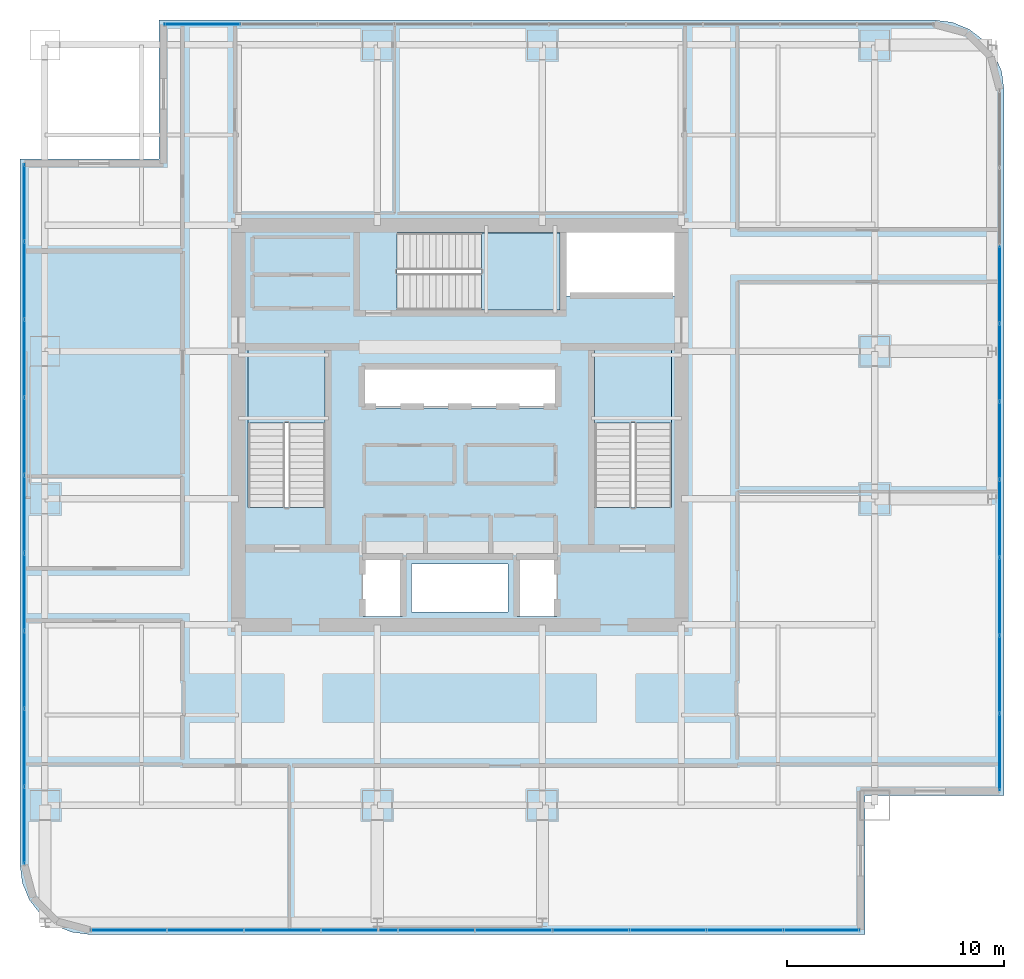
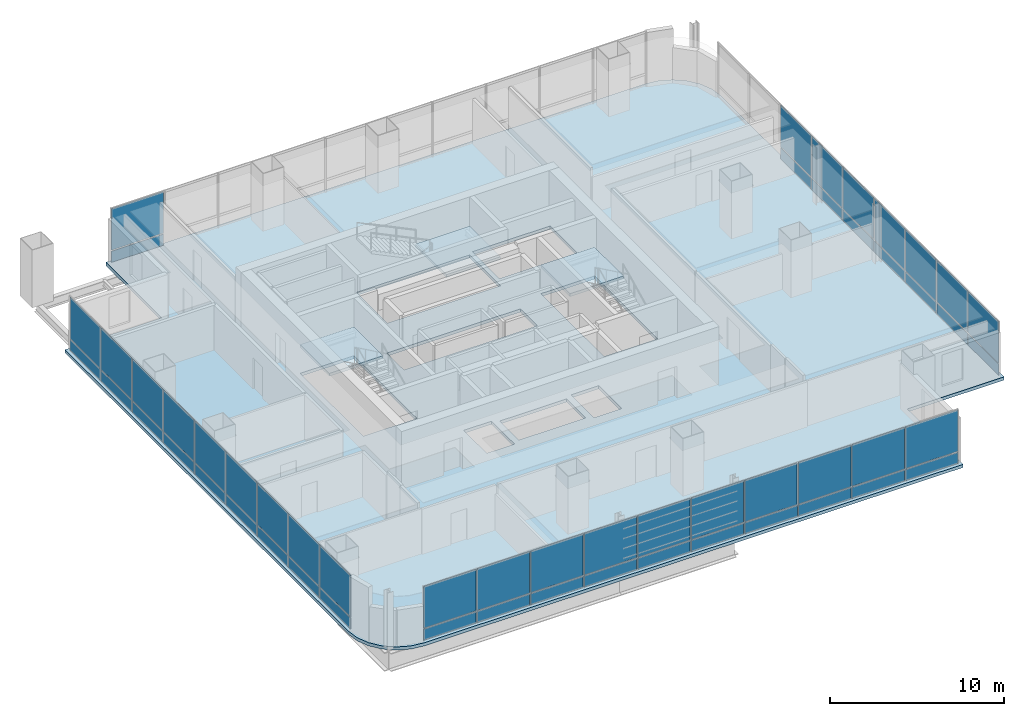
# One storey, part 28 of 37: 54 plates, 4 slabs, 7 elements without a shape of their own.
"""IFC4 building model written with IfcOpenShell, lengths in metres."""

from ifc_helpers import new_model, si_unit, direction, frame, origin, origin_2d, place, context, subcontext, project, spatial, polyline, rectangle, outline, extrude, material, layer, layer_set, type_object, element, aggregate, save


model = new_model("IFC4")

# Units and contexts
model_context = context("Model", 3, precision=1e-05, world=origin(), true_north=direction((0.0, 1.0)))
body_context = subcontext(model_context, "Body", "Model", "MODEL_VIEW")
ifc_project = project(units=[si_unit("LENGTHUNIT", "METRE"), si_unit("AREAUNIT", "SQUARE_METRE"), si_unit("VOLUMEUNIT", "CUBIC_METRE"), si_unit("PLANEANGLEUNIT", "RADIAN"), si_unit("MASSUNIT", "GRAM", prefix="KILO")], contexts=[model_context])

# Site, building, storey
site_placement = place(None, origin())
site = spatial("IfcSite", under=ifc_project, at=site_placement, CompositionType="ELEMENT")
building_placement = place(site_placement, origin())
building = spatial("IfcBuilding", under=site, at=building_placement, Name="Punatoya Terracotta Tower", CompositionType="ELEMENT")
storey_placement = place(building_placement, frame((0.0, 0.0, 224.85009765625)))
storey = spatial("IfcBuildingStorey", under=building, at=storey_placement, Name="L53", CompositionType="ELEMENT", Elevation=224.85009765625)

# Curtain wall, plates
ifc_material_1 = material(Name="Aluminium 6063-T6 + Double Low-E Glass", Category="aluminium")
curtain_wall_type = type_object("IfcCurtainWallType", Name="CW-M2", PredefinedType="NOTDEFINED", material=ifc_material_1)
curtain_wall_1_placement = place(storey_placement, origin())
curtain_wall_1 = element("IfcCurtainWall", 1, at=curtain_wall_1_placement, inside=storey, type_object=curtain_wall_type, Name="L53 Curtain Wall CW-L53-S01-1", PredefinedType="NOTDEFINED")
ifc_material_2 = material(Name="Double Low-E Acoustic Vision Glass", Category="glass")
ifc_layer_1 = layer(ifc_material_2, 0.031982421875)
ifc_layer_set_1 = layer_set([ifc_layer_1], Name="Double Low-E Acoustic Vision Glass")
plate_type_1 = type_object("IfcPlateType", Name="PLT-GLZ-32", PredefinedType="CURTAIN_PANEL", material=ifc_layer_set_1)
plate_1_placement = place(storey_placement, frame((-15.2626953125, -23.25, 0.889892578125), z_axis=(0.0, 0.0, 1.0), x_axis=(1.0, 0.0, 0.0)))
plate_1 = element("IfcPlate", 2, at=plate_1_placement, type_object=plate_type_1, Name="CW-L53-S01-1 Vision Glass Panel 1", PredefinedType="CURTAIN_PANEL", context=body_context, shape_type="SweptSolid", body=[
    extrude(rectangle(XDim=3.463623046875, YDim=0.031982421875, at=origin_2d()), origin(), (0.0, 0.0, 1.0), 2.89990234375),
])
plate_2_placement = place(storey_placement, frame((-11.7138671875, -23.25, 0.889892578125), z_axis=(0.0, 0.0, 1.0), x_axis=(1.0, 0.0, 0.0)))
plate_2 = element("IfcPlate", 3, at=plate_2_placement, type_object=plate_type_1, Name="CW-L53-S01-1 Vision Glass Panel 2", PredefinedType="CURTAIN_PANEL", context=body_context, shape_type="SweptSolid", body=[
    extrude(rectangle(XDim=3.463623046875, YDim=0.031982421875, at=origin_2d()), origin(), (0.0, 0.0, 1.0), 2.89990234375),
])
plate_3_placement = place(storey_placement, frame((-8.165283203125, -23.25, 0.889892578125), z_axis=(0.0, 0.0, 1.0), x_axis=(1.0, 0.0, 0.0)))
plate_3 = element("IfcPlate", 4, at=plate_3_placement, type_object=plate_type_1, Name="CW-L53-S01-1 Vision Glass Panel 3", PredefinedType="CURTAIN_PANEL", context=body_context, shape_type="SweptSolid", body=[
    extrude(rectangle(XDim=3.463623046875, YDim=0.031982421875, at=origin_2d()), origin(), (0.0, 0.0, 1.0), 2.89990234375),
])
plate_4_placement = place(storey_placement, frame((-4.616455078125, -23.25, 0.889892578125), z_axis=(0.0, 0.0, 1.0), x_axis=(1.0, 0.0, 0.0)))
plate_4 = element("IfcPlate", 5, at=plate_4_placement, type_object=plate_type_1, Name="CW-L53-S01-1 Vision Glass Panel 4", PredefinedType="CURTAIN_PANEL", context=body_context, shape_type="SweptSolid", body=[
    extrude(rectangle(XDim=3.463623046875, YDim=0.031982421875, at=origin_2d()), origin(), (0.0, 0.0, 1.0), 2.89990234375),
])
plate_5_placement = place(storey_placement, frame((-1.06787109375, -23.25, 0.889892578125), z_axis=(0.0, 0.0, 1.0), x_axis=(1.0, 0.0, 0.0)))
plate_5 = element("IfcPlate", 6, at=plate_5_placement, type_object=plate_type_1, Name="CW-L53-S01-1 Vision Glass Panel 5", PredefinedType="CURTAIN_PANEL", context=body_context, shape_type="SweptSolid", body=[
    extrude(rectangle(XDim=3.463623046875, YDim=0.031982421875, at=origin_2d()), origin(), (0.0, 0.0, 1.0), 2.89990234375),
])
plate_6_placement = place(storey_placement, frame((2.48095703125, -23.25, 0.889892578125), z_axis=(0.0, 0.0, 1.0), x_axis=(1.0, 0.0, 0.0)))
plate_6 = element("IfcPlate", 7, at=plate_6_placement, type_object=plate_type_1, Name="CW-L53-S01-1 Vision Glass Panel 6", PredefinedType="CURTAIN_PANEL", context=body_context, shape_type="SweptSolid", body=[
    extrude(rectangle(XDim=3.463623046875, YDim=0.031982421875, at=origin_2d()), origin(), (0.0, 0.0, 1.0), 2.89990234375),
])
plate_7_placement = place(storey_placement, frame((6.029541015625, -23.25, 0.889892578125), z_axis=(0.0, 0.0, 1.0), x_axis=(1.0, 0.0, 0.0)))
plate_7 = element("IfcPlate", 8, at=plate_7_placement, type_object=plate_type_1, Name="CW-L53-S01-1 Vision Glass Panel 7", PredefinedType="CURTAIN_PANEL", context=body_context, shape_type="SweptSolid", body=[
    extrude(rectangle(XDim=3.463623046875, YDim=0.031982421875, at=origin_2d()), origin(), (0.0, 0.0, 1.0), 2.89990234375),
])
plate_8_placement = place(storey_placement, frame((9.578369140625, -23.25, 0.889892578125), z_axis=(0.0, 0.0, 1.0), x_axis=(1.0, 0.0, 0.0)))
plate_8 = element("IfcPlate", 9, at=plate_8_placement, type_object=plate_type_1, Name="CW-L53-S01-1 Vision Glass Panel 8", PredefinedType="CURTAIN_PANEL", context=body_context, shape_type="SweptSolid", body=[
    extrude(rectangle(XDim=3.463623046875, YDim=0.031982421875, at=origin_2d()), origin(), (0.0, 0.0, 1.0), 2.89990234375),
])
plate_9_placement = place(storey_placement, frame((13.126953125, -23.25, 0.889892578125), z_axis=(0.0, 0.0, 1.0), x_axis=(1.0, 0.0, 0.0)))
plate_9 = element("IfcPlate", 10, at=plate_9_placement, type_object=plate_type_1, Name="CW-L53-S01-1 Vision Glass Panel 9", PredefinedType="CURTAIN_PANEL", context=body_context, shape_type="SweptSolid", body=[
    extrude(rectangle(XDim=3.463623046875, YDim=0.031982421875, at=origin_2d()), origin(), (0.0, 0.0, 1.0), 2.89990234375),
])
plate_10_placement = place(storey_placement, frame((16.67578125, -23.25, 0.889892578125), z_axis=(0.0, 0.0, 1.0), x_axis=(1.0, 0.0, 0.0)))
plate_10 = element("IfcPlate", 11, at=plate_10_placement, type_object=plate_type_1, Name="CW-L53-S01-1 Vision Glass Panel 10", PredefinedType="CURTAIN_PANEL", context=body_context, shape_type="SweptSolid", body=[
    extrude(rectangle(XDim=3.463623046875, YDim=0.031982421875, at=origin_2d()), origin(), (0.0, 0.0, 1.0), 2.89990234375),
])

curtain_wall_2_placement = place(storey_placement, origin())
curtain_wall_2 = element("IfcCurtainWall", 12, at=curtain_wall_2_placement, inside=storey, type_object=curtain_wall_type, Name="L53 Curtain Wall CW-L53-E04-1", PredefinedType="NOTDEFINED")
plate_11_placement = place(storey_placement, frame((24.85009765625, -15.056396484375, 0.889892578125), z_axis=(0.0, 0.0, 1.0), x_axis=(0.0, 1.0, 0.0)))
plate_11 = element("IfcPlate", 13, at=plate_11_placement, type_object=plate_type_1, Name="CW-L53-E04-1 Vision Glass Panel 1", PredefinedType="CURTAIN_PANEL", context=body_context, shape_type="SweptSolid", body=[
    extrude(rectangle(XDim=3.50244140625, YDim=0.031982421875, at=origin_2d()), origin(), (0.0, 0.0, 1.0), 2.89990234375),
])
plate_12_placement = place(storey_placement, frame((24.85009765625, -11.468994140625, 0.889892578125), z_axis=(0.0, 0.0, 1.0), x_axis=(0.0, 1.0, 0.0)))
plate_12 = element("IfcPlate", 14, at=plate_12_placement, type_object=plate_type_1, Name="CW-L53-E04-1 Vision Glass Panel 2", PredefinedType="CURTAIN_PANEL", context=body_context, shape_type="SweptSolid", body=[
    extrude(rectangle(XDim=3.50244140625, YDim=0.031982421875, at=origin_2d()), origin(), (0.0, 0.0, 1.0), 2.89990234375),
])
plate_13_placement = place(storey_placement, frame((24.85009765625, -7.88134765625, 0.889892578125), z_axis=(0.0, 0.0, 1.0), x_axis=(0.0, 1.0, 0.0)))
plate_13 = element("IfcPlate", 15, at=plate_13_placement, type_object=plate_type_1, Name="CW-L53-E04-1 Vision Glass Panel 3", PredefinedType="CURTAIN_PANEL", context=body_context, shape_type="SweptSolid", body=[
    extrude(rectangle(XDim=3.50244140625, YDim=0.031982421875, at=origin_2d()), origin(), (0.0, 0.0, 1.0), 2.89990234375),
])
plate_14_placement = place(storey_placement, frame((24.85009765625, -4.2939453125, 0.889892578125), z_axis=(0.0, 0.0, 1.0), x_axis=(0.0, 1.0, 0.0)))
plate_14 = element("IfcPlate", 16, at=plate_14_placement, type_object=plate_type_1, Name="CW-L53-E04-1 Vision Glass Panel 4", PredefinedType="CURTAIN_PANEL", context=body_context, shape_type="SweptSolid", body=[
    extrude(rectangle(XDim=3.50244140625, YDim=0.031982421875, at=origin_2d()), origin(), (0.0, 0.0, 1.0), 2.89990234375),
])
plate_15_placement = place(storey_placement, frame((24.85009765625, -0.70654296875, 0.889892578125), z_axis=(0.0, 0.0, 1.0), x_axis=(0.0, 1.0, 0.0)))
plate_15 = element("IfcPlate", 17, at=plate_15_placement, type_object=plate_type_1, Name="CW-L53-E04-1 Vision Glass Panel 5", PredefinedType="CURTAIN_PANEL", context=body_context, shape_type="SweptSolid", body=[
    extrude(rectangle(XDim=3.50244140625, YDim=0.031982421875, at=origin_2d()), origin(), (0.0, 0.0, 1.0), 2.89990234375),
])
plate_16_placement = place(storey_placement, frame((24.85009765625, 2.880859375, 0.889892578125), z_axis=(0.0, 0.0, 1.0), x_axis=(0.0, 1.0, 0.0)))
plate_16 = element("IfcPlate", 18, at=plate_16_placement, type_object=plate_type_1, Name="CW-L53-E04-1 Vision Glass Panel 6", PredefinedType="CURTAIN_PANEL", context=body_context, shape_type="SweptSolid", body=[
    extrude(rectangle(XDim=3.50244140625, YDim=0.031982421875, at=origin_2d()), origin(), (0.0, 0.0, 1.0), 2.89990234375),
])
plate_17_placement = place(storey_placement, frame((24.85009765625, 6.46826171875, 0.889892578125), z_axis=(0.0, 0.0, 1.0), x_axis=(0.0, 1.0, 0.0)))
plate_17 = element("IfcPlate", 19, at=plate_17_placement, type_object=plate_type_1, Name="CW-L53-E04-1 Vision Glass Panel 7", PredefinedType="CURTAIN_PANEL", context=body_context, shape_type="SweptSolid", body=[
    extrude(rectangle(XDim=3.50244140625, YDim=0.031982421875, at=origin_2d()), origin(), (0.0, 0.0, 1.0), 2.89990234375),
])

# Curtain wall, plate
curtain_wall_3_placement = place(storey_placement, origin())
curtain_wall_3 = element("IfcCurtainWall", 20, at=curtain_wall_3_placement, inside=storey, type_object=curtain_wall_type, Name="L53 Curtain Wall CW-L53-N08-1", PredefinedType="NOTDEFINED")
plate_18_placement = place(storey_placement, frame((-11.875732421875, 18.449951171875, 0.889892578125), z_axis=(0.0, 0.0, 1.0), x_axis=(-1.0, 0.0, 0.0)))
plate_18 = element("IfcPlate", 21, at=plate_18_placement, type_object=plate_type_1, Name="CW-L53-N08-1 Vision Glass Panel 10", PredefinedType="CURTAIN_PANEL", context=body_context, shape_type="SweptSolid", body=[
    extrude(rectangle(XDim=3.463623046875, YDim=0.031982421875, at=origin_2d()), origin(), (0.0, 0.0, 1.0), 2.89990234375),
])

# Curtain wall, plates
curtain_wall_4_placement = place(storey_placement, origin())
curtain_wall_4 = element("IfcCurtainWall", 22, at=curtain_wall_4_placement, inside=storey, type_object=curtain_wall_type, Name="L53 Curtain Wall CW-L53-W11-1", PredefinedType="NOTDEFINED")
plate_19_placement = place(storey_placement, frame((-20.050048828125, 10.25634765625, 0.889892578125), z_axis=(0.0, 0.0, 1.0), x_axis=(0.0, -1.0, 0.0)))
plate_19 = element("IfcPlate", 23, at=plate_19_placement, type_object=plate_type_1, Name="CW-L53-W11-1 Vision Glass Panel 1", PredefinedType="CURTAIN_PANEL", context=body_context, shape_type="SweptSolid", body=[
    extrude(rectangle(XDim=3.50244140625, YDim=0.031982421875, at=origin_2d()), origin(), (0.0, 0.0, 1.0), 2.89990234375),
])
plate_20_placement = place(storey_placement, frame((-20.050048828125, 6.6689453125, 0.889892578125), z_axis=(0.0, 0.0, 1.0), x_axis=(0.0, -1.0, 0.0)))
plate_20 = element("IfcPlate", 24, at=plate_20_placement, type_object=plate_type_1, Name="CW-L53-W11-1 Vision Glass Panel 2", PredefinedType="CURTAIN_PANEL", context=body_context, shape_type="SweptSolid", body=[
    extrude(rectangle(XDim=3.50244140625, YDim=0.031982421875, at=origin_2d()), origin(), (0.0, 0.0, 1.0), 2.89990234375),
])
plate_21_placement = place(storey_placement, frame((-20.050048828125, 3.081298828125, 0.889892578125), z_axis=(0.0, 0.0, 1.0), x_axis=(0.0, -1.0, 0.0)))
plate_21 = element("IfcPlate", 25, at=plate_21_placement, type_object=plate_type_1, Name="CW-L53-W11-1 Vision Glass Panel 3", PredefinedType="CURTAIN_PANEL", context=body_context, shape_type="SweptSolid", body=[
    extrude(rectangle(XDim=3.50244140625, YDim=0.031982421875, at=origin_2d()), origin(), (0.0, 0.0, 1.0), 2.89990234375),
])
plate_22_placement = place(storey_placement, frame((-20.050048828125, -0.506103515625, 0.889892578125), z_axis=(0.0, 0.0, 1.0), x_axis=(0.0, -1.0, 0.0)))
plate_22 = element("IfcPlate", 26, at=plate_22_placement, type_object=plate_type_1, Name="CW-L53-W11-1 Vision Glass Panel 4", PredefinedType="CURTAIN_PANEL", context=body_context, shape_type="SweptSolid", body=[
    extrude(rectangle(XDim=3.50244140625, YDim=0.031982421875, at=origin_2d()), origin(), (0.0, 0.0, 1.0), 2.89990234375),
])
plate_23_placement = place(storey_placement, frame((-20.050048828125, -4.093505859375, 0.889892578125), z_axis=(0.0, 0.0, 1.0), x_axis=(0.0, -1.0, 0.0)))
plate_23 = element("IfcPlate", 27, at=plate_23_placement, type_object=plate_type_1, Name="CW-L53-W11-1 Vision Glass Panel 5", PredefinedType="CURTAIN_PANEL", context=body_context, shape_type="SweptSolid", body=[
    extrude(rectangle(XDim=3.50244140625, YDim=0.031982421875, at=origin_2d()), origin(), (0.0, 0.0, 1.0), 2.89990234375),
])
plate_24_placement = place(storey_placement, frame((-20.050048828125, -7.680908203125, 0.889892578125), z_axis=(0.0, 0.0, 1.0), x_axis=(0.0, -1.0, 0.0)))
plate_24 = element("IfcPlate", 28, at=plate_24_placement, type_object=plate_type_1, Name="CW-L53-W11-1 Vision Glass Panel 6", PredefinedType="CURTAIN_PANEL", context=body_context, shape_type="SweptSolid", body=[
    extrude(rectangle(XDim=3.50244140625, YDim=0.031982421875, at=origin_2d()), origin(), (0.0, 0.0, 1.0), 2.89990234375),
])
plate_25_placement = place(storey_placement, frame((-20.050048828125, -11.268310546875, 0.889892578125), z_axis=(0.0, 0.0, 1.0), x_axis=(0.0, -1.0, 0.0)))
plate_25 = element("IfcPlate", 29, at=plate_25_placement, type_object=plate_type_1, Name="CW-L53-W11-1 Vision Glass Panel 7", PredefinedType="CURTAIN_PANEL", context=body_context, shape_type="SweptSolid", body=[
    extrude(rectangle(XDim=3.50244140625, YDim=0.031982421875, at=origin_2d()), origin(), (0.0, 0.0, 1.0), 2.89990234375),
])
plate_26_placement = place(storey_placement, frame((-20.050048828125, -14.855712890625, 0.889892578125), z_axis=(0.0, 0.0, 1.0), x_axis=(0.0, -1.0, 0.0)))
plate_26 = element("IfcPlate", 30, at=plate_26_placement, type_object=plate_type_1, Name="CW-L53-W11-1 Vision Glass Panel 8", PredefinedType="CURTAIN_PANEL", context=body_context, shape_type="SweptSolid", body=[
    extrude(rectangle(XDim=3.50244140625, YDim=0.031982421875, at=origin_2d()), origin(), (0.0, 0.0, 1.0), 2.89990234375),
])
plate_27_placement = place(storey_placement, frame((-20.050048828125, -18.443115234375, 0.889892578125), z_axis=(0.0, 0.0, 1.0), x_axis=(0.0, -1.0, 0.0)))
plate_27 = element("IfcPlate", 31, at=plate_27_placement, type_object=plate_type_1, Name="CW-L53-W11-1 Vision Glass Panel 9", PredefinedType="CURTAIN_PANEL", context=body_context, shape_type="SweptSolid", body=[
    extrude(rectangle(XDim=3.50244140625, YDim=0.031982421875, at=origin_2d()), origin(), (0.0, 0.0, 1.0), 2.89990234375),
])

# Plate
ifc_material_3 = material(Name="Insulated Terracotta-Backed Spandrel Panel", Category="masonry")
ifc_layer_2 = layer(ifc_material_3, 0.044921875)
ifc_layer_set_2 = layer_set([ifc_layer_2], Name="Insulated Terracotta-Backed Spandrel Panel")
plate_type_2 = type_object("IfcPlateType", Name="PLT-SPN-45", PredefinedType="CURTAIN_PANEL", material=ifc_layer_set_2)
plate_28_placement = place(storey_placement, frame((-15.2626953125, -23.25, 0.0400390625), z_axis=(0.0, 0.0, 1.0), x_axis=(1.0, 0.0, 0.0)))
plate_28 = element("IfcPlate", 32, at=plate_28_placement, type_object=plate_type_2, Name="CW-L53-S01-1 Terracotta Spandrel Panel 1", PredefinedType="CURTAIN_PANEL", context=body_context, shape_type="SweptSolid", body=[
    extrude(rectangle(XDim=3.463623046875, YDim=0.044921875, at=origin_2d()), origin(), (0.0, 0.0, 1.0), 0.77490234375),
])

plate_29_placement = place(storey_placement, frame((-11.7138671875, -23.25, 0.0400390625), z_axis=(0.0, 0.0, 1.0), x_axis=(1.0, 0.0, 0.0)))
plate_29 = element("IfcPlate", 33, at=plate_29_placement, type_object=plate_type_2, Name="CW-L53-S01-1 Terracotta Spandrel Panel 2", PredefinedType="CURTAIN_PANEL", context=body_context, shape_type="SweptSolid", body=[
    extrude(rectangle(XDim=3.463623046875, YDim=0.044921875, at=origin_2d()), origin(), (0.0, 0.0, 1.0), 0.77490234375),
])

plate_30_placement = place(storey_placement, frame((-8.165283203125, -23.25, 0.0400390625), z_axis=(0.0, 0.0, 1.0), x_axis=(1.0, 0.0, 0.0)))
plate_30 = element("IfcPlate", 34, at=plate_30_placement, type_object=plate_type_2, Name="CW-L53-S01-1 Terracotta Spandrel Panel 3", PredefinedType="CURTAIN_PANEL", context=body_context, shape_type="SweptSolid", body=[
    extrude(rectangle(XDim=3.463623046875, YDim=0.044921875, at=origin_2d()), origin(), (0.0, 0.0, 1.0), 0.77490234375),
])

plate_31_placement = place(storey_placement, frame((-4.616455078125, -23.25, 0.0400390625), z_axis=(0.0, 0.0, 1.0), x_axis=(1.0, 0.0, 0.0)))
plate_31 = element("IfcPlate", 35, at=plate_31_placement, type_object=plate_type_2, Name="CW-L53-S01-1 Terracotta Spandrel Panel 4", PredefinedType="CURTAIN_PANEL", context=body_context, shape_type="SweptSolid", body=[
    extrude(rectangle(XDim=3.463623046875, YDim=0.044921875, at=origin_2d()), origin(), (0.0, 0.0, 1.0), 0.77490234375),
])

plate_32_placement = place(storey_placement, frame((-1.06787109375, -23.25, 0.0400390625), z_axis=(0.0, 0.0, 1.0), x_axis=(1.0, 0.0, 0.0)))
plate_32 = element("IfcPlate", 36, at=plate_32_placement, type_object=plate_type_2, Name="CW-L53-S01-1 Terracotta Spandrel Panel 5", PredefinedType="CURTAIN_PANEL", context=body_context, shape_type="SweptSolid", body=[
    extrude(rectangle(XDim=3.463623046875, YDim=0.044921875, at=origin_2d()), origin(), (0.0, 0.0, 1.0), 0.77490234375),
])

plate_33_placement = place(storey_placement, frame((2.48095703125, -23.25, 0.0400390625), z_axis=(0.0, 0.0, 1.0), x_axis=(1.0, 0.0, 0.0)))
plate_33 = element("IfcPlate", 37, at=plate_33_placement, type_object=plate_type_2, Name="CW-L53-S01-1 Terracotta Spandrel Panel 6", PredefinedType="CURTAIN_PANEL", context=body_context, shape_type="SweptSolid", body=[
    extrude(rectangle(XDim=3.463623046875, YDim=0.044921875, at=origin_2d()), origin(), (0.0, 0.0, 1.0), 0.77490234375),
])

plate_34_placement = place(storey_placement, frame((6.029541015625, -23.25, 0.0400390625), z_axis=(0.0, 0.0, 1.0), x_axis=(1.0, 0.0, 0.0)))
plate_34 = element("IfcPlate", 38, at=plate_34_placement, type_object=plate_type_2, Name="CW-L53-S01-1 Terracotta Spandrel Panel 7", PredefinedType="CURTAIN_PANEL", context=body_context, shape_type="SweptSolid", body=[
    extrude(rectangle(XDim=3.463623046875, YDim=0.044921875, at=origin_2d()), origin(), (0.0, 0.0, 1.0), 0.77490234375),
])

plate_35_placement = place(storey_placement, frame((9.578369140625, -23.25, 0.0400390625), z_axis=(0.0, 0.0, 1.0), x_axis=(1.0, 0.0, 0.0)))
plate_35 = element("IfcPlate", 39, at=plate_35_placement, type_object=plate_type_2, Name="CW-L53-S01-1 Terracotta Spandrel Panel 8", PredefinedType="CURTAIN_PANEL", context=body_context, shape_type="SweptSolid", body=[
    extrude(rectangle(XDim=3.463623046875, YDim=0.044921875, at=origin_2d()), origin(), (0.0, 0.0, 1.0), 0.77490234375),
])

plate_36_placement = place(storey_placement, frame((13.126953125, -23.25, 0.0400390625), z_axis=(0.0, 0.0, 1.0), x_axis=(1.0, 0.0, 0.0)))
plate_36 = element("IfcPlate", 40, at=plate_36_placement, type_object=plate_type_2, Name="CW-L53-S01-1 Terracotta Spandrel Panel 9", PredefinedType="CURTAIN_PANEL", context=body_context, shape_type="SweptSolid", body=[
    extrude(rectangle(XDim=3.463623046875, YDim=0.044921875, at=origin_2d()), origin(), (0.0, 0.0, 1.0), 0.77490234375),
])

plate_37_placement = place(storey_placement, frame((16.67578125, -23.25, 0.0400390625), z_axis=(0.0, 0.0, 1.0), x_axis=(1.0, 0.0, 0.0)))
plate_37 = element("IfcPlate", 41, at=plate_37_placement, type_object=plate_type_2, Name="CW-L53-S01-1 Terracotta Spandrel Panel 10", PredefinedType="CURTAIN_PANEL", context=body_context, shape_type="SweptSolid", body=[
    extrude(rectangle(XDim=3.463623046875, YDim=0.044921875, at=origin_2d()), origin(), (0.0, 0.0, 1.0), 0.77490234375),
])

aggregate(curtain_wall_1, [plate_28, plate_1, plate_29, plate_2, plate_30, plate_3, plate_31, plate_4, plate_32, plate_5, plate_33, plate_6, plate_34, plate_7, plate_35, plate_8, plate_36, plate_9, plate_37, plate_10])

plate_38_placement = place(storey_placement, frame((24.85009765625, -15.056396484375, 0.0400390625), z_axis=(0.0, 0.0, 1.0), x_axis=(0.0, 1.0, 0.0)))
plate_38 = element("IfcPlate", 42, at=plate_38_placement, type_object=plate_type_2, Name="CW-L53-E04-1 Terracotta Spandrel Panel 1", PredefinedType="CURTAIN_PANEL", context=body_context, shape_type="SweptSolid", body=[
    extrude(rectangle(XDim=3.50244140625, YDim=0.044921875, at=origin_2d()), origin(), (0.0, 0.0, 1.0), 0.77490234375),
])

plate_39_placement = place(storey_placement, frame((24.85009765625, -11.468994140625, 0.0400390625), z_axis=(0.0, 0.0, 1.0), x_axis=(0.0, 1.0, 0.0)))
plate_39 = element("IfcPlate", 43, at=plate_39_placement, type_object=plate_type_2, Name="CW-L53-E04-1 Terracotta Spandrel Panel 2", PredefinedType="CURTAIN_PANEL", context=body_context, shape_type="SweptSolid", body=[
    extrude(rectangle(XDim=3.50244140625, YDim=0.044921875, at=origin_2d()), origin(), (0.0, 0.0, 1.0), 0.77490234375),
])

plate_40_placement = place(storey_placement, frame((24.85009765625, -7.88134765625, 0.0400390625), z_axis=(0.0, 0.0, 1.0), x_axis=(0.0, 1.0, 0.0)))
plate_40 = element("IfcPlate", 44, at=plate_40_placement, type_object=plate_type_2, Name="CW-L53-E04-1 Terracotta Spandrel Panel 3", PredefinedType="CURTAIN_PANEL", context=body_context, shape_type="SweptSolid", body=[
    extrude(rectangle(XDim=3.50244140625, YDim=0.044921875, at=origin_2d()), origin(), (0.0, 0.0, 1.0), 0.77490234375),
])

plate_41_placement = place(storey_placement, frame((24.85009765625, -4.2939453125, 0.0400390625), z_axis=(0.0, 0.0, 1.0), x_axis=(0.0, 1.0, 0.0)))
plate_41 = element("IfcPlate", 45, at=plate_41_placement, type_object=plate_type_2, Name="CW-L53-E04-1 Terracotta Spandrel Panel 4", PredefinedType="CURTAIN_PANEL", context=body_context, shape_type="SweptSolid", body=[
    extrude(rectangle(XDim=3.50244140625, YDim=0.044921875, at=origin_2d()), origin(), (0.0, 0.0, 1.0), 0.77490234375),
])

plate_42_placement = place(storey_placement, frame((24.85009765625, -0.70654296875, 0.0400390625), z_axis=(0.0, 0.0, 1.0), x_axis=(0.0, 1.0, 0.0)))
plate_42 = element("IfcPlate", 46, at=plate_42_placement, type_object=plate_type_2, Name="CW-L53-E04-1 Terracotta Spandrel Panel 5", PredefinedType="CURTAIN_PANEL", context=body_context, shape_type="SweptSolid", body=[
    extrude(rectangle(XDim=3.50244140625, YDim=0.044921875, at=origin_2d()), origin(), (0.0, 0.0, 1.0), 0.77490234375),
])

plate_43_placement = place(storey_placement, frame((24.85009765625, 2.880859375, 0.0400390625), z_axis=(0.0, 0.0, 1.0), x_axis=(0.0, 1.0, 0.0)))
plate_43 = element("IfcPlate", 47, at=plate_43_placement, type_object=plate_type_2, Name="CW-L53-E04-1 Terracotta Spandrel Panel 6", PredefinedType="CURTAIN_PANEL", context=body_context, shape_type="SweptSolid", body=[
    extrude(rectangle(XDim=3.50244140625, YDim=0.044921875, at=origin_2d()), origin(), (0.0, 0.0, 1.0), 0.77490234375),
])

plate_44_placement = place(storey_placement, frame((24.85009765625, 6.46826171875, 0.0400390625), z_axis=(0.0, 0.0, 1.0), x_axis=(0.0, 1.0, 0.0)))
plate_44 = element("IfcPlate", 48, at=plate_44_placement, type_object=plate_type_2, Name="CW-L53-E04-1 Terracotta Spandrel Panel 7", PredefinedType="CURTAIN_PANEL", context=body_context, shape_type="SweptSolid", body=[
    extrude(rectangle(XDim=3.50244140625, YDim=0.044921875, at=origin_2d()), origin(), (0.0, 0.0, 1.0), 0.77490234375),
])

aggregate(curtain_wall_2, [plate_38, plate_11, plate_39, plate_12, plate_40, plate_13, plate_41, plate_14, plate_42, plate_15, plate_43, plate_16, plate_44, plate_17])

plate_45_placement = place(storey_placement, frame((-11.875732421875, 18.449951171875, 0.0400390625), z_axis=(0.0, 0.0, 1.0), x_axis=(-1.0, 0.0, 0.0)))
plate_45 = element("IfcPlate", 49, at=plate_45_placement, type_object=plate_type_2, Name="CW-L53-N08-1 Terracotta Spandrel Panel 10", PredefinedType="CURTAIN_PANEL", context=body_context, shape_type="SweptSolid", body=[
    extrude(rectangle(XDim=3.463623046875, YDim=0.044921875, at=origin_2d()), origin(), (0.0, 0.0, 1.0), 0.77490234375),
])

aggregate(curtain_wall_3, [plate_45, plate_18])

plate_46_placement = place(storey_placement, frame((-20.050048828125, 10.25634765625, 0.0400390625), z_axis=(0.0, 0.0, 1.0), x_axis=(0.0, -1.0, 0.0)))
plate_46 = element("IfcPlate", 50, at=plate_46_placement, type_object=plate_type_2, Name="CW-L53-W11-1 Terracotta Spandrel Panel 1", PredefinedType="CURTAIN_PANEL", context=body_context, shape_type="SweptSolid", body=[
    extrude(rectangle(XDim=3.50244140625, YDim=0.044921875, at=origin_2d()), origin(), (0.0, 0.0, 1.0), 0.77490234375),
])

plate_47_placement = place(storey_placement, frame((-20.050048828125, 6.6689453125, 0.0400390625), z_axis=(0.0, 0.0, 1.0), x_axis=(0.0, -1.0, 0.0)))
plate_47 = element("IfcPlate", 51, at=plate_47_placement, type_object=plate_type_2, Name="CW-L53-W11-1 Terracotta Spandrel Panel 2", PredefinedType="CURTAIN_PANEL", context=body_context, shape_type="SweptSolid", body=[
    extrude(rectangle(XDim=3.50244140625, YDim=0.044921875, at=origin_2d()), origin(), (0.0, 0.0, 1.0), 0.77490234375),
])

plate_48_placement = place(storey_placement, frame((-20.050048828125, 3.081298828125, 0.0400390625), z_axis=(0.0, 0.0, 1.0), x_axis=(0.0, -1.0, 0.0)))
plate_48 = element("IfcPlate", 52, at=plate_48_placement, type_object=plate_type_2, Name="CW-L53-W11-1 Terracotta Spandrel Panel 3", PredefinedType="CURTAIN_PANEL", context=body_context, shape_type="SweptSolid", body=[
    extrude(rectangle(XDim=3.50244140625, YDim=0.044921875, at=origin_2d()), origin(), (0.0, 0.0, 1.0), 0.77490234375),
])

plate_49_placement = place(storey_placement, frame((-20.050048828125, -0.506103515625, 0.0400390625), z_axis=(0.0, 0.0, 1.0), x_axis=(0.0, -1.0, 0.0)))
plate_49 = element("IfcPlate", 53, at=plate_49_placement, type_object=plate_type_2, Name="CW-L53-W11-1 Terracotta Spandrel Panel 4", PredefinedType="CURTAIN_PANEL", context=body_context, shape_type="SweptSolid", body=[
    extrude(rectangle(XDim=3.50244140625, YDim=0.044921875, at=origin_2d()), origin(), (0.0, 0.0, 1.0), 0.77490234375),
])

plate_50_placement = place(storey_placement, frame((-20.050048828125, -4.093505859375, 0.0400390625), z_axis=(0.0, 0.0, 1.0), x_axis=(0.0, -1.0, 0.0)))
plate_50 = element("IfcPlate", 54, at=plate_50_placement, type_object=plate_type_2, Name="CW-L53-W11-1 Terracotta Spandrel Panel 5", PredefinedType="CURTAIN_PANEL", context=body_context, shape_type="SweptSolid", body=[
    extrude(rectangle(XDim=3.50244140625, YDim=0.044921875, at=origin_2d()), origin(), (0.0, 0.0, 1.0), 0.77490234375),
])

plate_51_placement = place(storey_placement, frame((-20.050048828125, -7.680908203125, 0.0400390625), z_axis=(0.0, 0.0, 1.0), x_axis=(0.0, -1.0, 0.0)))
plate_51 = element("IfcPlate", 55, at=plate_51_placement, type_object=plate_type_2, Name="CW-L53-W11-1 Terracotta Spandrel Panel 6", PredefinedType="CURTAIN_PANEL", context=body_context, shape_type="SweptSolid", body=[
    extrude(rectangle(XDim=3.50244140625, YDim=0.044921875, at=origin_2d()), origin(), (0.0, 0.0, 1.0), 0.77490234375),
])

plate_52_placement = place(storey_placement, frame((-20.050048828125, -11.268310546875, 0.0400390625), z_axis=(0.0, 0.0, 1.0), x_axis=(0.0, -1.0, 0.0)))
plate_52 = element("IfcPlate", 56, at=plate_52_placement, type_object=plate_type_2, Name="CW-L53-W11-1 Terracotta Spandrel Panel 7", PredefinedType="CURTAIN_PANEL", context=body_context, shape_type="SweptSolid", body=[
    extrude(rectangle(XDim=3.50244140625, YDim=0.044921875, at=origin_2d()), origin(), (0.0, 0.0, 1.0), 0.77490234375),
])

plate_53_placement = place(storey_placement, frame((-20.050048828125, -14.855712890625, 0.0400390625), z_axis=(0.0, 0.0, 1.0), x_axis=(0.0, -1.0, 0.0)))
plate_53 = element("IfcPlate", 57, at=plate_53_placement, type_object=plate_type_2, Name="CW-L53-W11-1 Terracotta Spandrel Panel 8", PredefinedType="CURTAIN_PANEL", context=body_context, shape_type="SweptSolid", body=[
    extrude(rectangle(XDim=3.50244140625, YDim=0.044921875, at=origin_2d()), origin(), (0.0, 0.0, 1.0), 0.77490234375),
])

plate_54_placement = place(storey_placement, frame((-20.050048828125, -18.443115234375, 0.0400390625), z_axis=(0.0, 0.0, 1.0), x_axis=(0.0, -1.0, 0.0)))
plate_54 = element("IfcPlate", 58, at=plate_54_placement, type_object=plate_type_2, Name="CW-L53-W11-1 Terracotta Spandrel Panel 9", PredefinedType="CURTAIN_PANEL", context=body_context, shape_type="SweptSolid", body=[
    extrude(rectangle(XDim=3.50244140625, YDim=0.044921875, at=origin_2d()), origin(), (0.0, 0.0, 1.0), 0.77490234375),
])

aggregate(curtain_wall_4, [plate_46, plate_19, plate_47, plate_20, plate_48, plate_21, plate_49, plate_22, plate_50, plate_23, plate_51, plate_24, plate_52, plate_25, plate_53, plate_26, plate_54, plate_27])

# Stair, slab
ifc_material_4 = material(Name="Concrete C40/50", Category="concrete")
stair_type_1 = type_object("IfcStairType", Name="STR-TER-1450", PredefinedType="HALF_TURN_STAIR", material=ifc_material_4)
stair_1_placement = place(storey_placement, origin())
stair_1 = element("IfcStair", 59, at=stair_1_placement, inside=storey, type_object=stair_type_1, Name="L53 Protected Core Exit Stair ST-3", PredefinedType="HALF_TURN_STAIR")
ifc_layer_3 = layer(ifc_material_4, 0.1650390625)
ifc_layer_set_3 = layer_set([ifc_layer_3], Name="Concrete C40/50")
slab_type_1 = type_object("IfcSlabType", Name="SLB-LND-165", PredefinedType="LANDING", material=ifc_layer_set_3)
slab_1_placement = place(storey_placement, frame((0.0, 0.0, 1.824951171875)))
slab_1 = element("IfcSlab", 60, at=slab_1_placement, type_object=slab_type_1, Name="ST-3 landing 1", PredefinedType="LANDING", context=body_context, shape_type="SweptSolid", body=[
    extrude(outline(polyline([(1.0, 5.300048828125), (4.60009765625, 5.300048828125), (4.60009765625, 8.85009765625), (1.0, 8.85009765625), (1.0, 5.300048828125)])), origin(), (0.0, 0.0, 1.0), 0.199951171875),
])
aggregate(stair_1, [slab_1])

stair_type_2 = type_object("IfcStairType", Name="STR-CORE-1550", PredefinedType="HALF_TURN_STAIR", material=ifc_material_4)
stair_2_placement = place(storey_placement, origin())
stair_2 = element("IfcStair", 61, at=stair_2_placement, inside=storey, type_object=stair_type_2, Name="L53 Protected Core Exit Stair ST-1", PredefinedType="HALF_TURN_STAIR")
ifc_layer_4 = layer(ifc_material_4, 0.179931640625)
ifc_layer_set_4 = layer_set([ifc_layer_4], Name="Concrete C40/50")
slab_type_2 = type_object("IfcSlabType", Name="SLB-LND-180", PredefinedType="LANDING", material=ifc_layer_set_4)
slab_2_placement = place(storey_placement, frame((0.0, 0.0, 1.824951171875)))
slab_2 = element("IfcSlab", 62, at=slab_2_placement, type_object=slab_type_2, Name="ST-1 landing 1", PredefinedType="LANDING", context=body_context, shape_type="SweptSolid", body=[
    extrude(outline(polyline([(-6.199951171875, 0.10009765625), (-6.199951171875, 3.449951171875), (-9.75, 3.449951171875), (-9.75, 0.10009765625), (-6.199951171875, 0.10009765625)])), origin(), (0.0, 0.0, 1.0), 0.199951171875),
])
aggregate(stair_2, [slab_2])

stair_type_3 = type_object("IfcStairType", Name="STR-LOB-1650", PredefinedType="HALF_TURN_STAIR", material=ifc_material_4)
stair_3_placement = place(storey_placement, origin())
stair_3 = element("IfcStair", 63, at=stair_3_placement, inside=storey, type_object=stair_type_3, Name="L53 Protected Core Exit Stair ST-2", PredefinedType="HALF_TURN_STAIR")
slab_3_placement = place(storey_placement, frame((0.0, 0.0, 1.824951171875)))
slab_3 = element("IfcSlab", 64, at=slab_3_placement, type_object=slab_type_2, Name="ST-2 landing 1", PredefinedType="LANDING", context=body_context, shape_type="SweptSolid", body=[
    extrude(outline(polyline([(9.75, 0.10009765625), (9.75, 3.449951171875), (6.199951171875, 3.449951171875), (6.199951171875, 0.10009765625), (9.75, 0.10009765625)])), origin(), (0.0, 0.0, 1.0), 0.199951171875),
])
aggregate(stair_3, [slab_3])

# Slab
ifc_layer_5 = layer(ifc_material_4, 0.219970703125)
ifc_layer_set_5 = layer_set([ifc_layer_5], Name="Concrete C40/50")
slab_type_3 = type_object("IfcSlabType", Name="SLB-OFF-220", PredefinedType="FLOOR", material=ifc_layer_set_5)
slab_4_placement = place(storey_placement, frame((0.0, 0.0, -0.22021484375)))
element("IfcSlab", 65, at=slab_4_placement, inside=storey, type_object=slab_type_3, Name="L53 Structural Floor Slab", PredefinedType="FLOOR", context=body_context, shape_type="SweptSolid", body=[
    extrude(outline(polyline([(-17.050048828125, -23.449951171875), (-17.878173828125, -23.341064453125), (-18.64990234375, -23.021240234375), (-19.312744140625, -22.5126953125), (-19.8212890625, -21.85009765625), (-20.14111328125, -21.078125), (-20.25, -20.25), (-20.25, 12.25), (-13.85009765625, 12.25), (-13.85009765625, 18.64990234375), (21.85009765625, 18.64990234375), (22.67822265625, 18.541015625), (23.449951171875, 18.22119140625), (24.11279296875, 17.712646484375), (24.621337890625, 17.050048828125), (24.94091796875, 16.2783203125), (25.050048828125, 15.449951171875), (25.050048828125, -17.050048828125), (18.64990234375, -17.050048828125), (18.64990234375, -23.449951171875), (-17.050048828125, -23.449951171875)]), holes=[polyline([(-2.6298828125, -6.179931640625), (-4.469970703125, -6.179931640625), (-4.469970703125, -8.820068359375), (-2.6298828125, -8.820068359375), (-2.6298828125, -6.179931640625)]), polyline([(0.02001953125, -8.594970703125), (2.219970703125, -8.594970703125), (2.219970703125, -6.405029296875), (0.02001953125, -6.405029296875), (-0.02001953125, -6.405029296875), (-2.219970703125, -6.405029296875), (-2.219970703125, -8.594970703125), (-0.02001953125, -8.594970703125), (0.02001953125, -8.594970703125)]), polyline([(-6.199951171875, 3.449951171875), (-9.75, 3.449951171875), (-9.75, -3.79931640625), (-6.199951171875, -3.79931640625), (-6.199951171875, 3.449951171875)]), polyline([(-4.419921875, 2.719970703125), (-4.419921875, 0.780029296875), (-2.219970703125, 0.780029296875), (-2.179931640625, 0.780029296875), (-0.02001953125, 0.780029296875), (0.02001953125, 0.780029296875), (2.179931640625, 0.780029296875), (2.219970703125, 0.780029296875), (4.419921875, 0.780029296875), (4.419921875, 2.719970703125), (2.219970703125, 2.719970703125), (2.179931640625, 2.719970703125), (0.02001953125, 2.719970703125), (-0.02001953125, 2.719970703125), (-2.179931640625, 2.719970703125), (-2.219970703125, 2.719970703125), (-4.419921875, 2.719970703125)]), polyline([(4.60009765625, 5.300048828125), (4.60009765625, 8.85009765625), (-2.899169921875, 8.85009765625), (-2.899169921875, 5.300048828125), (4.60009765625, 5.300048828125)]), polyline([(4.469970703125, -8.820068359375), (4.469970703125, -6.179931640625), (2.6298828125, -6.179931640625), (2.6298828125, -8.820068359375), (4.469970703125, -8.820068359375)]), polyline([(9.75, 3.449951171875), (6.199951171875, 3.449951171875), (6.199951171875, -3.79931640625), (9.75, -3.79931640625), (9.75, 3.449951171875)]), polyline([(10.050048828125, 5.949951171875), (10.050048828125, 9.050048828125), (4.89990234375, 9.050048828125), (4.89990234375, 5.949951171875), (10.050048828125, 5.949951171875)])]), origin(), (0.0, 0.0, 1.0), 0.22021484375),
])

save(model, "model.ifc")
